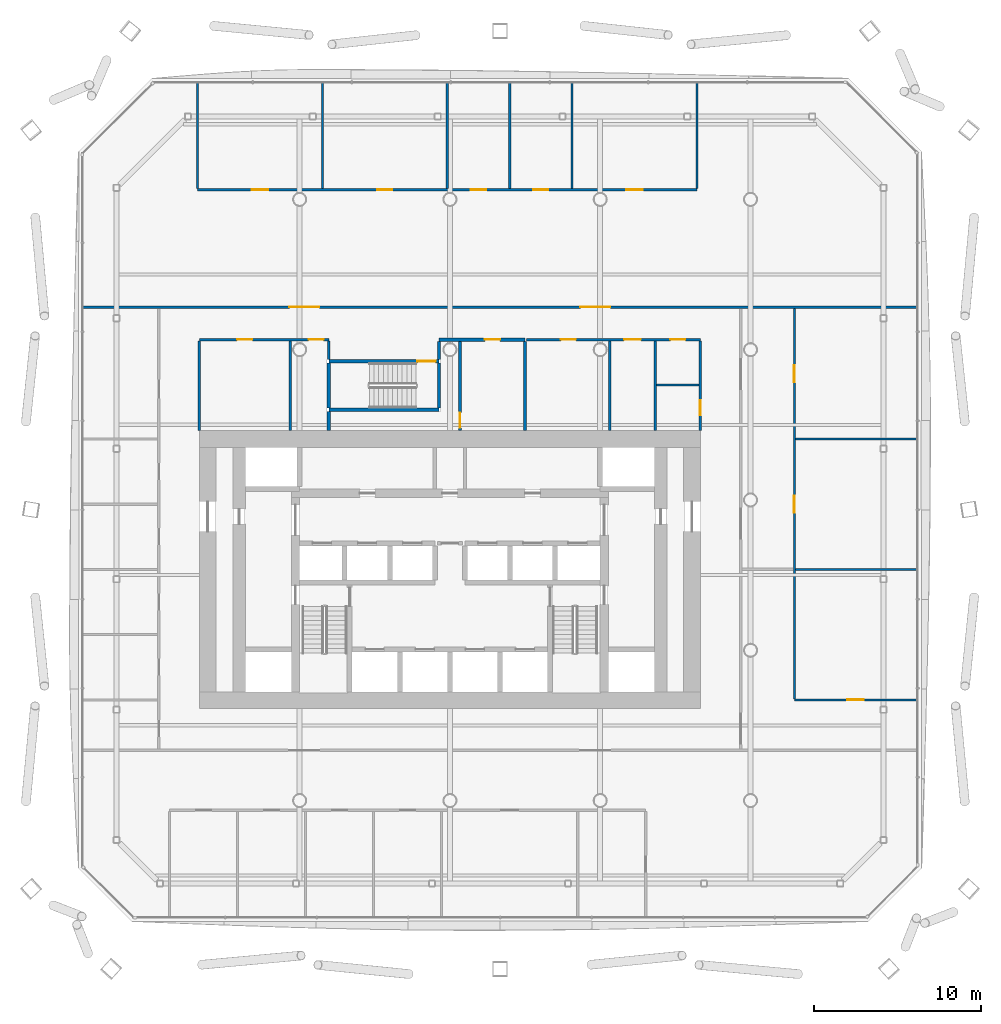
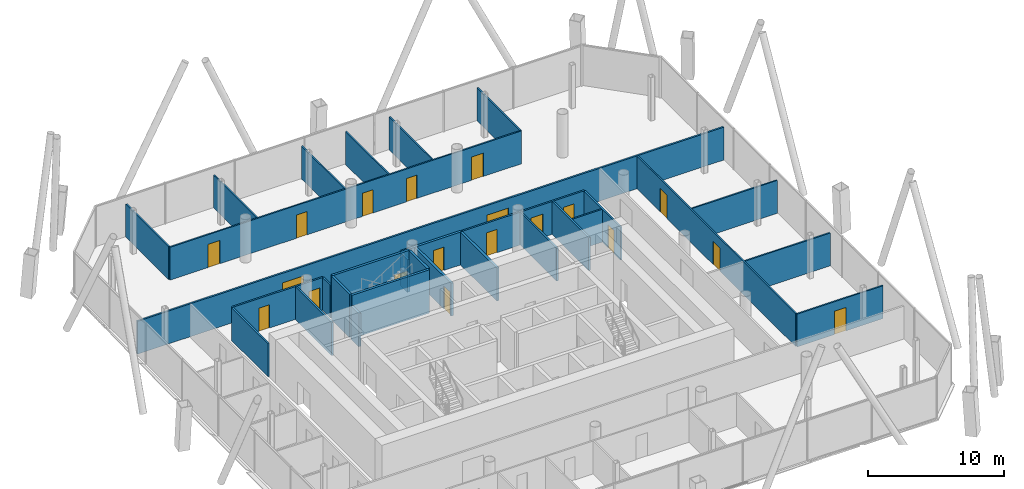
# One storey, part 16 of 22: 30 walls, 19 doors, 19 openings.
"""IFC4 building model written with IfcOpenShell, lengths in metres."""

import ifcopenshell
import ifcopenshell.guid

model = None  # the IFC model being written
_history = None  # IfcOwnerHistory: only IFC2X3 demands one
_inside = {}  # id of a spatial element -> (the spatial element, [elements in it])
_under = {}  # id of a project, library or spatial element -> (it, [spatial elements below it])
_declared = {}  # id of a project -> (the project, [libraries it declares])
_typed = {}  # id of a type object -> (the type object, [elements of that type])
_made_of = {}  # id of a material, layer set ... -> (it, [elements and type objects made of it])


def new_model(schema):
    """Start an empty IFC model of exactly this schema.

    Asked for "IFC4X3", IfcOpenShell would pick the latest addendum, in which some entities
    have other attributes; the version numbers below select the first issue.
    IFC2X3 requires an IfcOwnerHistory on every rooted entity: one is made here for all.
    """
    global model, _history
    if schema == "IFC4X3":
        model = ifcopenshell.file(schema_version=(4, 3, 0, 0))
    else:
        model = ifcopenshell.file(schema=schema)
    _inside.clear()
    _under.clear()
    _declared.clear()
    _typed.clear()
    _made_of.clear()
    _history = None
    if model.schema == "IFC2X3":
        org = make("IfcOrganization", Name="unknown")
        user = make(
            "IfcPersonAndOrganization",
            ThePerson=make("IfcPerson", FamilyName="unknown"),
            TheOrganization=org,
        )
        app = make(
            "IfcApplication",
            ApplicationDeveloper=org,
            Version="unknown",
            ApplicationFullName="unknown",
            ApplicationIdentifier="unknown",
        )
        _history = make(
            "IfcOwnerHistory",
            OwningUser=user,
            OwningApplication=app,
            ChangeAction="ADDED",
            CreationDate=0,
        )
    return model


def make(cls, **values):
    """One entity of the class cls with the attributes given. An attribute that is None is left unset."""
    return model.create_entity(
        cls, **{name: value for name, value in values.items() if value is not None}
    )


def rooted(cls, **values):
    """An entity with a GlobalId (a new one), such as an element, a storey or a relation."""
    return make(cls, GlobalId=ifcopenshell.guid.new(), OwnerHistory=_history, **values)


def si_unit(unit_type, name, prefix=None):
    """IfcSIUnit, for example si_unit("LENGTHUNIT", "METRE", prefix="MILLI")."""
    return make("IfcSIUnit", UnitType=unit_type, Prefix=prefix, Name=name)


def assignment(units):
    """IfcUnitAssignment: the units of a project."""
    return None if units is None else make("IfcUnitAssignment", Units=units)


def point(xyz):
    """IfcCartesianPoint."""
    return None if xyz is None else make("IfcCartesianPoint", Coordinates=xyz)


def direction(xyz):
    """IfcDirection."""
    return None if xyz is None else make("IfcDirection", DirectionRatios=xyz)


def frame(location, z_axis=None, x_axis=None):
    """IfcAxis2Placement3D, a coordinate frame: its origin and axes. An axis left out is left unset."""
    return make(
        "IfcAxis2Placement3D",
        Location=point(location),
        Axis=direction(z_axis),
        RefDirection=direction(x_axis),
    )


def frame_2d(location, x_axis=None):
    """IfcAxis2Placement2D, a coordinate frame in the plane: its origin and x axis."""
    return make(
        "IfcAxis2Placement2D", Location=point(location), RefDirection=direction(x_axis)
    )


def origin():
    """The frame at (0, 0, 0) with its axes left unset."""
    return frame((0.0, 0.0, 0.0))


def place(relative_to, where):
    """IfcLocalPlacement: puts the frame where relative to a parent placement (None: the world)."""
    return make(
        "IfcLocalPlacement", PlacementRelTo=relative_to, RelativePlacement=where
    )


def context(
    kind, dimensions, precision=None, world=None, true_north=None, identifier=None
):
    """IfcGeometricRepresentationContext, for example the 3D "Model" context."""
    return make(
        "IfcGeometricRepresentationContext",
        ContextIdentifier=identifier,
        ContextType=kind,
        CoordinateSpaceDimension=dimensions,
        Precision=precision,
        WorldCoordinateSystem=world,
        TrueNorth=true_north,
    )


def subcontext(parent, identifier, kind, view, scale=None):
    """IfcGeometricRepresentationSubContext, for example "Body" below "Model"."""
    return make(
        "IfcGeometricRepresentationSubContext",
        ContextIdentifier=identifier,
        ContextType=kind,
        ParentContext=parent,
        TargetScale=scale,
        TargetView=view,
    )


def project(units=None, contexts=None):
    """IfcProject with its units and contexts."""
    return rooted(
        "IfcProject",
        Name="project",
        RepresentationContexts=contexts,
        UnitsInContext=assignment(units),
    )


def spatial(cls, under=None, at=None, **own):
    """A site, building, storey or space (cls), placed at a placement, below another one or the project."""
    s = rooted(cls, ObjectPlacement=at, **own)
    if under is not None:
        _under.setdefault(under.id(), (under, []))[1].append(s)
    return s


def profile(cls, at=None, kind="AREA", **sizes):
    """A parametric profile (cls). Its sizes go by their IFC names, for example OverallWidth=200.0."""
    return make(cls, ProfileType=kind, Position=at, **sizes)


def rectangle(**sizes):
    """IfcRectangleProfileDef."""
    return profile("IfcRectangleProfileDef", **sizes)


def extrude(swept, where, along, depth):
    """IfcExtrudedAreaSolid: the profile swept, set in the frame where, extruded along a direction by depth."""
    return make(
        "IfcExtrudedAreaSolid",
        SweptArea=swept,
        Position=where,
        ExtrudedDirection=direction(along),
        Depth=depth,
    )


def shape(context_of_items, identifier, shape_type, items):
    """IfcShapeRepresentation: the items that make up one representation, for example the "Body"."""
    return make(
        "IfcShapeRepresentation",
        ContextOfItems=context_of_items,
        RepresentationIdentifier=identifier,
        RepresentationType=shape_type,
        Items=items,
    )


def material(Name=None, Category=None):
    """IfcMaterial."""
    return make("IfcMaterial", Name=Name, Category=Category)


def layer(
    of_material, thickness, ventilated=None, Name=None, Category=None, Priority=None
):
    """IfcMaterialLayer: one layer of a wall or slab, of a material (None: an air gap)."""
    return make(
        "IfcMaterialLayer",
        Material=of_material,
        LayerThickness=thickness,
        IsVentilated=ventilated,
        Name=Name,
        Category=Category,
        Priority=Priority,
    )


def layer_set(layers, Name=None):
    """IfcMaterialLayerSet."""
    return make("IfcMaterialLayerSet", MaterialLayers=layers, LayerSetName=Name)


def made_of(thing, what):
    """Note that an element or type object is made of a material, layer set ...; save() writes the relation."""
    if what is not None:
        _made_of.setdefault(what.id(), (what, []))[1].append(thing)
    return thing


def type_object(cls, material=None, **own):
    """A type object (cls), such as IfcWallType, which elements share."""
    return made_of(rooted(cls, **own), material)


def element(
    cls,
    number,
    at=None,
    inside=None,
    cuts=None,
    type_object=None,
    material=None,
    context=None,
    identifier="Body",
    shape_type=None,
    held_by="IfcProductDefinitionShape",
    body=None,
    shapes=None,
    **own,
):
    """One element of the class cls, such as IfcWall. Its Tag is "e" and its number.

    at: its placement. inside: the storey or other place that contains it. cuts: it is an
    opening in that element (IfcRelVoidsElement). A single representation is given by context,
    identifier, shape_type and body (its items); several are given by shapes. held_by: the class
    of the entity that holds the representations. save() writes the other relations.
    """
    e = rooted(cls, Tag="e%d" % number, ObjectPlacement=at, **own)
    if body is not None:
        shapes = [shape(context, identifier, shape_type, body)]
    if shapes is not None:
        e.Representation = make(held_by, Representations=shapes)
    if inside is not None:
        _inside.setdefault(inside.id(), (inside, []))[1].append(e)
    if cuts is not None:
        rooted(
            "IfcRelVoidsElement", RelatingBuildingElement=cuts, RelatedOpeningElement=e
        )
    if type_object is not None:
        _typed.setdefault(type_object.id(), (type_object, []))[1].append(e)
    return made_of(e, material)


def fill(opening, filler):
    """IfcRelFillsElement: the door or window that sits in an opening."""
    return rooted(
        "IfcRelFillsElement",
        RelatingOpeningElement=opening,
        RelatedBuildingElement=filler,
    )


def aggregate(whole, parts):
    """IfcRelAggregates: a whole, such as a stair, and the parts it consists of."""
    return rooted("IfcRelAggregates", RelatingObject=whole, RelatedObjects=parts)


def save(model, path):
    """Write the relations noted so far, then the file.

    IfcRelAggregates (storeys below a building ...), IfcRelContainedInSpatialStructure (elements
    in a storey), IfcRelDefinesByType, IfcRelAssociatesMaterial and IfcRelDeclares: one each for
    every whole, place, type object, material and project.
    """
    for whole, parts in _under.values():
        aggregate(whole, parts)
    for where, things in _inside.values():
        rooted(
            "IfcRelContainedInSpatialStructure",
            RelatedElements=things,
            RelatingStructure=where,
        )
    for kind, things in _typed.values():
        rooted("IfcRelDefinesByType", RelatedObjects=things, RelatingType=kind)
    for what, things in _made_of.values():
        rooted("IfcRelAssociatesMaterial", RelatedObjects=things, RelatingMaterial=what)
    for by, libraries in _declared.values():
        rooted("IfcRelDeclares", RelatingContext=by, RelatedDefinitions=libraries)
    model.write(path)


model = new_model("IFC4")

# Units and contexts
model_context = context("Model", 3, precision=1e-05, world=origin(), true_north=direction((0.0, 1.0)))
body_context = subcontext(model_context, "Body", "Model", "MODEL_VIEW")
ifc_project = project(units=[si_unit("LENGTHUNIT", "METRE"), si_unit("AREAUNIT", "SQUARE_METRE"), si_unit("VOLUMEUNIT", "CUBIC_METRE"), si_unit("PLANEANGLEUNIT", "RADIAN"), si_unit("MASSUNIT", "GRAM", prefix="KILO")], contexts=[model_context])

# Site, building, storey
site_placement = place(None, origin())
site = spatial("IfcSite", under=ifc_project, at=site_placement, CompositionType="ELEMENT")
building_placement = place(site_placement, origin())
building = spatial("IfcBuilding", under=site, at=building_placement, Name="Tskaro Facet Tower", CompositionType="ELEMENT")
storey_placement = place(building_placement, frame((0.0, 0.0, 73.800048828125)))
storey = spatial("IfcBuildingStorey", under=building, at=storey_placement, Name="L17", CompositionType="ELEMENT", Elevation=73.800048828125)

# Wall, opening, door
ifc_material_1 = material(Name="Gypsum board on steel studs", Category="steel")
ifc_layer_1 = layer(ifc_material_1, 0.125, Name="Gypsum board on steel studs")
ifc_layer_set_1 = layer_set([ifc_layer_1], Name="Gypsum board on steel studs")
wall_type_1 = type_object("IfcWallType", Name="PART", PredefinedType="PARTITIONING", material=ifc_layer_set_1)
wall_1_placement = place(storey_placement, frame((20.625, -11.972900390625, 0.0), z_axis=(0.0, 0.0, 1.0), x_axis=(1.0, 0.0, 0.0)))
wall_1 = element("IfcWall", 1, at=wall_1_placement, inside=storey, type_object=wall_type_1, Name="Partition W004", PredefinedType="PARTITIONING", context=body_context, shape_type="SweptSolid", body=[
    extrude(rectangle(XDim=7.3359375, YDim=0.125, at=frame_2d((3.66796875, 0.0))), origin(), (0.0, 0.0, 1.0), 2.9599609375),
])
opening_1_placement = place(wall_1_placement, frame((3.16796875, 0.0, 0.0)))
opening_1 = element("IfcOpeningElement", 2, at=opening_1_placement, cuts=wall_1, Name="Opening T5-D11", PredefinedType="OPENING", context=body_context, shape_type="SweptSolid", body=[
    extrude(rectangle(XDim=1.0, YDim=2.10009765625, at=frame_2d((0.5, 1.050048828125))), frame((0.0, 0.072509765625, 0.0), z_axis=(0.0, -1.0, 0.0), x_axis=(1.0, 0.0, 0.0)), (0.0, 0.0, 1.0), 0.14501953125),
])
ifc_material_2 = material(Name="Timber", Category="wood")
door_type_1 = type_object("IfcDoorType", Name="D-ROOM-WIDE", OperationType="NOTDEFINED", PredefinedType="DOOR", material=ifc_material_2)
door_1_placement = place(opening_1_placement, origin())
door_1 = element("IfcDoor", 3, at=door_1_placement, inside=storey, type_object=door_type_1, Name="Door T5-D11", OperationType="SINGLE_SWING_LEFT", OverallHeight=2.10009765625, OverallWidth=1.0, PredefinedType="DOOR", context=body_context, shape_type="SweptSolid", body=[
    extrude(rectangle(XDim=1.0, YDim=2.10009765625, at=frame_2d((0.5, 1.050048828125))), frame((0.0, 0.02490234375, 0.0), z_axis=(0.0, -1.0, 0.0), x_axis=(1.0, 0.0, 0.0)), (0.0, 0.0, 1.0), 0.050048828125),
])
fill(opening_1, door_1)

# Walls
for number, where, z_axis, x_axis, name in (
    (4, (20.6875, -4.162109375, 0.0), (0.0, 0.0, 1.0), (1.0, 0.0, 0.0), "Partition W013"),
    (5, (20.6875, 3.64794921875, 0.0), (0.0, 0.0, 1.0), (1.0, 0.0, 0.0), "Partition W021"),
):
    element("IfcWall", number, at=place(storey_placement, frame(where, z_axis=z_axis, x_axis=x_axis)), inside=storey, type_object=wall_type_1, Name=name, PredefinedType="PARTITIONING", context=body_context, shape_type="SweptSolid", body=[
        extrude(rectangle(XDim=7.2734375, YDim=0.125, at=frame_2d((3.63671875, 0.0))), origin(), (0.0, 0.0, 1.0), 2.9599609375),
    ])
wall_2_placement = place(storey_placement, frame((12.375, 6.8779296875, 0.0), z_axis=(0.0, 0.0, 1.0), x_axis=(1.0, 0.0, 0.0)))
element("IfcWall", 6, at=wall_2_placement, inside=storey, type_object=wall_type_1, Name="Partition W023", PredefinedType="PARTITIONING", context=body_context, shape_type="SweptSolid", body=[
    extrude(rectangle(XDim=2.550048828125, YDim=0.125, at=frame_2d((1.27490234375, 0.0))), origin(), (0.0, 0.0, 1.0), 2.9599609375),
])

# Wall, openings, doors
wall_3_placement = place(storey_placement, frame((-15.110107421875, 18.580078125, 0.0), z_axis=(0.0, 0.0, 1.0), x_axis=(1.0, 0.0, 0.0)))
wall_3 = element("IfcWall", 7, at=wall_3_placement, inside=storey, type_object=wall_type_1, Name="Partition W029", PredefinedType="PARTITIONING", context=body_context, shape_type="SweptSolid", body=[
    extrude(rectangle(XDim=29.904052734375, YDim=0.125, at=frame_2d((14.9521484375, 0.0))), origin(), (0.0, 0.0, 1.0), 2.9599609375),
])
opening_2_placement = place(wall_3_placement, frame((25.666015625, 0.0, 0.0)))
opening_2 = element("IfcOpeningElement", 8, at=opening_2_placement, cuts=wall_3, Name="Opening T5-D48", PredefinedType="OPENING", context=body_context, shape_type="SweptSolid", body=[
    extrude(rectangle(XDim=1.0, YDim=2.10009765625, at=frame_2d((0.5, 1.050048828125))), frame((0.0, 0.072509765625, 0.0), z_axis=(0.0, -1.0, 0.0), x_axis=(1.0, 0.0, 0.0)), (0.0, 0.0, 1.0), 0.14501953125),
])
opening_3_placement = place(wall_3_placement, frame((3.238037109375, 0.0, 0.0)))
opening_3 = element("IfcOpeningElement", 9, at=opening_3_placement, cuts=wall_3, Name="Opening T5-D44", PredefinedType="OPENING", context=body_context, shape_type="SweptSolid", body=[
    extrude(rectangle(XDim=1.0, YDim=2.10009765625, at=frame_2d((0.5, 1.050048828125))), frame((0.0, 0.072509765625, 0.0), z_axis=(0.0, -1.0, 0.0), x_axis=(1.0, 0.0, 0.0)), (0.0, 0.0, 1.0), 0.14501953125),
])
opening_4_placement = place(wall_3_placement, frame((10.763916015625, 0.0, 0.0)))
opening_4 = element("IfcOpeningElement", 10, at=opening_4_placement, cuts=wall_3, Name="Opening T5-D45", PredefinedType="OPENING", context=body_context, shape_type="SweptSolid", body=[
    extrude(rectangle(XDim=0.89990234375, YDim=2.10009765625, at=frame_2d((0.449951171875, 1.050048828125))), frame((0.0, 0.072509765625, 0.0), z_axis=(0.0, -1.0, 0.0), x_axis=(1.0, 0.0, 0.0)), (0.0, 0.0, 1.0), 0.14501953125),
])
opening_5_placement = place(wall_3_placement, frame((16.37109375, 0.0, 0.0)))
opening_5 = element("IfcOpeningElement", 11, at=opening_5_placement, cuts=wall_3, Name="Opening T5-D46", PredefinedType="OPENING", context=body_context, shape_type="SweptSolid", body=[
    extrude(rectangle(XDim=0.89990234375, YDim=2.10009765625, at=frame_2d((0.449951171875, 1.050048828125))), frame((0.0, 0.072509765625, 0.0), z_axis=(0.0, -1.0, 0.0), x_axis=(1.0, 0.0, 0.0)), (0.0, 0.0, 1.0), 0.14501953125),
])
opening_6_placement = place(wall_3_placement, frame((20.10888671875, 0.0, 0.0)))
opening_6 = element("IfcOpeningElement", 12, at=opening_6_placement, cuts=wall_3, Name="Opening T5-D47", PredefinedType="OPENING", context=body_context, shape_type="SweptSolid", body=[
    extrude(rectangle(XDim=0.89990234375, YDim=2.10009765625, at=frame_2d((0.449951171875, 1.050048828125))), frame((0.0, 0.072509765625, 0.0), z_axis=(0.0, -1.0, 0.0), x_axis=(1.0, 0.0, 0.0)), (0.0, 0.0, 1.0), 0.14501953125),
])
door_type_2 = type_object("IfcDoorType", Name="D-ROOM", OperationType="NOTDEFINED", PredefinedType="DOOR", material=ifc_material_2)
door_2_placement = place(opening_4_placement, origin())
door_2 = element("IfcDoor", 13, at=door_2_placement, inside=storey, type_object=door_type_2, Name="Door T5-D45", OperationType="SINGLE_SWING_LEFT", OverallHeight=2.10009765625, OverallWidth=0.89990234375, PredefinedType="DOOR", context=body_context, shape_type="SweptSolid", body=[
    extrude(rectangle(XDim=0.89990234375, YDim=2.10009765625, at=frame_2d((0.449951171875, 1.050048828125))), frame((0.0, 0.02490234375, 0.0), z_axis=(0.0, -1.0, 0.0), x_axis=(1.0, 0.0, 0.0)), (0.0, 0.0, 1.0), 0.050048828125),
])
fill(opening_4, door_2)
door_3_placement = place(opening_5_placement, origin())
door_3 = element("IfcDoor", 14, at=door_3_placement, inside=storey, type_object=door_type_2, Name="Door T5-D46", OperationType="SINGLE_SWING_LEFT", OverallHeight=2.10009765625, OverallWidth=0.89990234375, PredefinedType="DOOR", context=body_context, shape_type="SweptSolid", body=[
    extrude(rectangle(XDim=0.89990234375, YDim=2.10009765625, at=frame_2d((0.449951171875, 1.050048828125))), frame((0.0, 0.02490234375, 0.0), z_axis=(0.0, -1.0, 0.0), x_axis=(1.0, 0.0, 0.0)), (0.0, 0.0, 1.0), 0.050048828125),
])
fill(opening_5, door_3)
door_4_placement = place(opening_6_placement, origin())
door_4 = element("IfcDoor", 15, at=door_4_placement, inside=storey, type_object=door_type_2, Name="Door T5-D47", OperationType="SINGLE_SWING_LEFT", OverallHeight=2.10009765625, OverallWidth=0.89990234375, PredefinedType="DOOR", context=body_context, shape_type="SweptSolid", body=[
    extrude(rectangle(XDim=0.89990234375, YDim=2.10009765625, at=frame_2d((0.449951171875, 1.050048828125))), frame((0.0, 0.02490234375, 0.0), z_axis=(0.0, -1.0, 0.0), x_axis=(1.0, 0.0, 0.0)), (0.0, 0.0, 1.0), 0.050048828125),
])
fill(opening_6, door_4)
door_5_placement = place(opening_2_placement, origin())
door_5 = element("IfcDoor", 16, at=door_5_placement, inside=storey, type_object=door_type_1, Name="Door T5-D48", OperationType="SINGLE_SWING_LEFT", OverallHeight=2.10009765625, OverallWidth=1.0, PredefinedType="DOOR", context=body_context, shape_type="SweptSolid", body=[
    extrude(rectangle(XDim=1.0, YDim=2.10009765625, at=frame_2d((0.5, 1.050048828125))), frame((0.0, 0.02490234375, 0.0), z_axis=(0.0, -1.0, 0.0), x_axis=(1.0, 0.0, 0.0)), (0.0, 0.0, 1.0), 0.050048828125),
])
fill(opening_2, door_5)
door_6_placement = place(opening_3_placement, origin())
door_6 = element("IfcDoor", 17, at=door_6_placement, inside=storey, type_object=door_type_1, Name="Door T5-D44", OperationType="SINGLE_SWING_LEFT", OverallHeight=2.10009765625, OverallWidth=1.0, PredefinedType="DOOR", context=body_context, shape_type="SweptSolid", body=[
    extrude(rectangle(XDim=1.0, YDim=2.10009765625, at=frame_2d((0.5, 1.050048828125))), frame((0.0, 0.02490234375, 0.0), z_axis=(0.0, -1.0, 0.0), x_axis=(1.0, 0.0, 0.0)), (0.0, 0.0, 1.0), 0.050048828125),
])
fill(opening_3, door_6)

# Walls
for number, where, z_axis, x_axis, name in (
    (18, (-15.110107421875, 18.642578125, 0.0), (0.0, 0.0, 1.0), (0.0, 1.0, 0.0), "Partition W032"),
    (19, (-7.634033203125, 18.642578125, 0.0), (0.0, 0.0, 1.0), (0.0, 1.0, 0.0), "Partition W038"),
    (20, (-0.157958984375, 18.642578125, 0.0), (0.0, 0.0, 1.0), (0.0, 1.0, 0.0), "Partition W052"),
    (21, (3.580078125, 18.642578125, 0.0), (0.0, 0.0, 1.0), (0.0, 1.0, 0.0), "Partition W058"),
    (22, (7.318115234375, 18.642578125, 0.0), (0.0, 0.0, 1.0), (0.0, 1.0, 0.0), "Partition W063"),
    (23, (14.7939453125, 18.642578125, 0.0), (0.0, 0.0, 1.0), (0.0, 1.0, 0.0), "Partition W069"),
):
    element("IfcWall", number, at=place(storey_placement, frame(where, z_axis=z_axis, x_axis=x_axis)), inside=storey, type_object=wall_type_1, Name=name, PredefinedType="PARTITIONING", context=body_context, shape_type="SweptSolid", body=[
        extrude(rectangle(XDim=6.318359375, YDim=0.125, at=frame_2d((3.1591796875, 0.0))), origin(), (0.0, 0.0, 1.0), 2.9599609375),
    ])

# Wall, openings, doors
wall_4_placement = place(storey_placement, frame((20.625, 11.47998046875, 0.0), z_axis=(0.0, 0.0, 1.0), x_axis=(0.0, -1.0, 0.0)))
wall_4 = element("IfcWall", 24, at=wall_4_placement, inside=storey, type_object=wall_type_1, Name="Partition W072", PredefinedType="PARTITIONING", context=body_context, shape_type="SweptSolid", body=[
    extrude(rectangle(XDim=23.390380859375, YDim=0.125, at=frame_2d((11.6953125, 0.0))), origin(), (0.0, 0.0, 1.0), 2.9599609375),
])
opening_7_placement = place(wall_4_placement, frame((11.237060546875, 0.0, 0.0)))
opening_7 = element("IfcOpeningElement", 25, at=opening_7_placement, cuts=wall_4, Name="Opening T5-D24", PredefinedType="OPENING", context=body_context, shape_type="SweptSolid", body=[
    extrude(rectangle(XDim=1.0, YDim=2.10009765625, at=frame_2d((0.5, 1.050048828125))), frame((0.0, 0.072509765625, 0.0), z_axis=(0.0, -1.0, 0.0), x_axis=(1.0, 0.0, 0.0)), (0.0, 0.0, 1.0), 0.14501953125),
])
opening_8_placement = place(wall_4_placement, frame((3.416015625, 0.0, 0.0)))
opening_8 = element("IfcOpeningElement", 26, at=opening_8_placement, cuts=wall_4, Name="Opening T5-D35", PredefinedType="OPENING", context=body_context, shape_type="SweptSolid", body=[
    extrude(rectangle(XDim=1.0, YDim=2.10009765625, at=frame_2d((0.5, 1.050048828125))), frame((0.0, 0.072509765625, 0.0), z_axis=(0.0, -1.0, 0.0), x_axis=(1.0, 0.0, 0.0)), (0.0, 0.0, 1.0), 0.14501953125),
])
door_7_placement = place(opening_7_placement, origin())
door_7 = element("IfcDoor", 27, at=door_7_placement, inside=storey, type_object=door_type_1, Name="Door T5-D24", OperationType="SINGLE_SWING_RIGHT", OverallHeight=2.10009765625, OverallWidth=1.0, PredefinedType="DOOR", context=body_context, shape_type="SweptSolid", body=[
    extrude(rectangle(XDim=1.0, YDim=2.10009765625, at=frame_2d((0.5, 1.050048828125))), frame((0.0, 0.02490234375, 0.0), z_axis=(0.0, -1.0, 0.0), x_axis=(1.0, 0.0, 0.0)), (0.0, 0.0, 1.0), 0.050048828125),
])
fill(opening_7, door_7)
door_8_placement = place(opening_8_placement, origin())
door_8 = element("IfcDoor", 28, at=door_8_placement, inside=storey, type_object=door_type_1, Name="Door T5-D35", OperationType="SINGLE_SWING_RIGHT", OverallHeight=2.10009765625, OverallWidth=1.0, PredefinedType="DOOR", context=body_context, shape_type="SweptSolid", body=[
    extrude(rectangle(XDim=1.0, YDim=2.10009765625, at=frame_2d((0.5, 1.050048828125))), frame((0.0, 0.02490234375, 0.0), z_axis=(0.0, -1.0, 0.0), x_axis=(1.0, 0.0, 0.0)), (0.0, 0.0, 1.0), 0.050048828125),
])
fill(opening_8, door_8)

ifc_layer_2 = layer(ifc_material_1, 0.14990234375, Name="Gypsum board on steel studs")
ifc_layer_set_2 = layer_set([ifc_layer_2], Name="Gypsum board on steel studs")
wall_type_2 = type_object("IfcWallType", Name="PART-CORR", PredefinedType="PARTITIONING", material=ifc_layer_set_2)
wall_5_placement = place(storey_placement, frame((-7.25, 9.60498046875, 0.0), z_axis=(0.0, 0.0, 1.0), x_axis=(-1.0, 0.0, 0.0)))
wall_5 = element("IfcWall", 29, at=wall_5_placement, inside=storey, type_object=wall_type_2, Name="Corridor wall W025", PredefinedType="PARTITIONING", context=body_context, shape_type="SweptSolid", body=[
    extrude(rectangle(XDim=7.75, YDim=0.14990234375, at=frame_2d((3.875, 0.0))), origin(), (0.0, 0.0, 1.0), 2.9599609375),
])
opening_9_placement = place(wall_5_placement, frame((0.3125, 0.0, 0.0)))
opening_9 = element("IfcOpeningElement", 30, at=opening_9_placement, cuts=wall_5, Name="Opening T5-D37", PredefinedType="OPENING", context=body_context, shape_type="SweptSolid", body=[
    extrude(rectangle(XDim=0.89990234375, YDim=2.10009765625, at=frame_2d((0.449951171875, 1.050048828125))), frame((0.0, 0.0849609375, 0.0), z_axis=(0.0, -1.0, 0.0), x_axis=(1.0, 0.0, 0.0)), (0.0, 0.0, 1.0), 0.169921875),
])
opening_10_placement = place(wall_5_placement, frame((4.58740234375, 0.0, 0.0)))
opening_10 = element("IfcOpeningElement", 31, at=opening_10_placement, cuts=wall_5, Name="Opening T5-D36", PredefinedType="OPENING", context=body_context, shape_type="SweptSolid", body=[
    extrude(rectangle(XDim=0.89990234375, YDim=2.10009765625, at=frame_2d((0.449951171875, 1.050048828125))), frame((0.0, 0.0849609375, 0.0), z_axis=(0.0, -1.0, 0.0), x_axis=(1.0, 0.0, 0.0)), (0.0, 0.0, 1.0), 0.169921875),
])
ifc_material_3 = material(Name="Steel", Category="steel")
door_type_3 = type_object("IfcDoorType", Name="D-RISER", OperationType="NOTDEFINED", PredefinedType="DOOR", material=ifc_material_3)
door_9_placement = place(opening_9_placement, origin())
door_9 = element("IfcDoor", 32, at=door_9_placement, inside=storey, type_object=door_type_3, Name="Door T5-D37", OperationType="SINGLE_SWING_RIGHT", OverallHeight=2.10009765625, OverallWidth=0.89990234375, PredefinedType="DOOR", context=body_context, shape_type="SweptSolid", body=[
    extrude(rectangle(XDim=0.89990234375, YDim=2.10009765625, at=frame_2d((0.449951171875, 1.050048828125))), frame((0.0, 0.02490234375, 0.0), z_axis=(0.0, -1.0, 0.0), x_axis=(1.0, 0.0, 0.0)), (0.0, 0.0, 1.0), 0.050048828125),
])
fill(opening_9, door_9)
door_10_placement = place(opening_10_placement, origin())
door_10 = element("IfcDoor", 33, at=door_10_placement, inside=storey, type_object=door_type_2, Name="Door T5-D36", OperationType="SINGLE_SWING_RIGHT", OverallHeight=2.10009765625, OverallWidth=0.89990234375, PredefinedType="DOOR", context=body_context, shape_type="SweptSolid", body=[
    extrude(rectangle(XDim=0.89990234375, YDim=2.10009765625, at=frame_2d((0.449951171875, 1.050048828125))), frame((0.0, 0.02490234375, 0.0), z_axis=(0.0, -1.0, 0.0), x_axis=(1.0, 0.0, 0.0)), (0.0, 0.0, 1.0), 0.050048828125),
])
fill(opening_10, door_10)

wall_6_placement = place(storey_placement, frame((15.0, 9.60498046875, 0.0), z_axis=(0.0, 0.0, 1.0), x_axis=(-1.0, 0.0, 0.0)))
wall_6 = element("IfcWall", 34, at=wall_6_placement, inside=storey, type_object=wall_type_2, Name="Corridor wall W027", PredefinedType="PARTITIONING", context=body_context, shape_type="SweptSolid", body=[
    extrude(rectangle(XDim=10.39990234375, YDim=0.14990234375, at=frame_2d((5.199951171875, 0.0))), origin(), (0.0, 0.0, 1.0), 2.9599609375),
])
opening_11_placement = place(wall_6_placement, frame((0.89990234375, 0.0, 0.0)))
opening_11 = element("IfcOpeningElement", 35, at=opening_11_placement, cuts=wall_6, Name="Opening T5-D41", PredefinedType="OPENING", context=body_context, shape_type="SweptSolid", body=[
    extrude(rectangle(XDim=0.89990234375, YDim=2.10009765625, at=frame_2d((0.449951171875, 1.050048828125))), frame((0.0, 0.0849609375, 0.0), z_axis=(0.0, -1.0, 0.0), x_axis=(1.0, 0.0, 0.0)), (0.0, 0.0, 1.0), 0.169921875),
])
opening_12_placement = place(wall_6_placement, frame((7.46240234375, 0.0, 0.0)))
opening_12 = element("IfcOpeningElement", 36, at=opening_12_placement, cuts=wall_6, Name="Opening T5-D39", PredefinedType="OPENING", context=body_context, shape_type="SweptSolid", body=[
    extrude(rectangle(XDim=0.89990234375, YDim=2.10009765625, at=frame_2d((0.449951171875, 1.050048828125))), frame((0.0, 0.0849609375, 0.0), z_axis=(0.0, -1.0, 0.0), x_axis=(1.0, 0.0, 0.0)), (0.0, 0.0, 1.0), 0.169921875),
])
opening_13_placement = place(wall_6_placement, frame((3.5625, 0.0, 0.0)))
opening_13 = element("IfcOpeningElement", 37, at=opening_13_placement, cuts=wall_6, Name="Opening T5-D40", PredefinedType="OPENING", context=body_context, shape_type="SweptSolid", body=[
    extrude(rectangle(XDim=1.0, YDim=2.10009765625, at=frame_2d((0.5, 1.050048828125))), frame((0.0, 0.0849609375, 0.0), z_axis=(0.0, -1.0, 0.0), x_axis=(1.0, 0.0, 0.0)), (0.0, 0.0, 1.0), 0.169921875),
])
door_11_placement = place(opening_11_placement, origin())
door_11 = element("IfcDoor", 38, at=door_11_placement, inside=storey, type_object=door_type_2, Name="Door T5-D41", OperationType="SINGLE_SWING_RIGHT", OverallHeight=2.10009765625, OverallWidth=0.89990234375, PredefinedType="DOOR", context=body_context, shape_type="SweptSolid", body=[
    extrude(rectangle(XDim=0.89990234375, YDim=2.10009765625, at=frame_2d((0.449951171875, 1.050048828125))), frame((0.0, 0.02490234375, 0.0), z_axis=(0.0, -1.0, 0.0), x_axis=(1.0, 0.0, 0.0)), (0.0, 0.0, 1.0), 0.050048828125),
])
fill(opening_11, door_11)
door_12_placement = place(opening_12_placement, origin())
door_12 = element("IfcDoor", 39, at=door_12_placement, inside=storey, type_object=door_type_2, Name="Door T5-D39", OperationType="SINGLE_SWING_RIGHT", OverallHeight=2.10009765625, OverallWidth=0.89990234375, PredefinedType="DOOR", context=body_context, shape_type="SweptSolid", body=[
    extrude(rectangle(XDim=0.89990234375, YDim=2.10009765625, at=frame_2d((0.449951171875, 1.050048828125))), frame((0.0, 0.02490234375, 0.0), z_axis=(0.0, -1.0, 0.0), x_axis=(1.0, 0.0, 0.0)), (0.0, 0.0, 1.0), 0.050048828125),
])
fill(opening_12, door_12)
door_13_placement = place(opening_13_placement, origin())
door_13 = element("IfcDoor", 40, at=door_13_placement, inside=storey, type_object=door_type_1, Name="Door T5-D40", OperationType="SINGLE_SWING_RIGHT", OverallHeight=2.10009765625, OverallWidth=1.0, PredefinedType="DOOR", context=body_context, shape_type="SweptSolid", body=[
    extrude(rectangle(XDim=1.0, YDim=2.10009765625, at=frame_2d((0.5, 1.050048828125))), frame((0.0, 0.02490234375, 0.0), z_axis=(0.0, -1.0, 0.0), x_axis=(1.0, 0.0, 0.0)), (0.0, 0.0, 1.0), 0.050048828125),
])
fill(opening_13, door_13)

wall_7_placement = place(storey_placement, frame((27.9609375, 11.554931640625, 0.0), z_axis=(0.0, 0.0, 1.0), x_axis=(-1.0, 0.0, 0.0)))
wall_7 = element("IfcWall", 41, at=wall_7_placement, inside=storey, type_object=wall_type_2, Name="Corridor wall W028", PredefinedType="PARTITIONING", context=body_context, shape_type="SweptSolid", body=[
    extrude(rectangle(XDim=49.921875, YDim=0.14990234375, at=frame_2d((24.9609375, 0.0))), origin(), (0.0, 0.0, 1.0), 2.9599609375),
])
opening_14_placement = place(wall_7_placement, frame((35.77392578125, 0.0, 0.0)))
opening_14 = element("IfcOpeningElement", 42, at=opening_14_placement, cuts=wall_7, Name="Opening T5-D42", PredefinedType="OPENING", context=body_context, shape_type="SweptSolid", body=[
    extrude(rectangle(XDim=1.800048828125, YDim=2.10009765625, at=frame_2d((0.89990234375, 1.050048828125))), frame((0.0, 0.0849609375, 0.0), z_axis=(0.0, -1.0, 0.0), x_axis=(1.0, 0.0, 0.0)), (0.0, 0.0, 1.0), 0.169921875),
])
opening_15_placement = place(wall_7_placement, frame((18.347900390625, 0.0, 0.0)))
opening_15 = element("IfcOpeningElement", 43, at=opening_15_placement, cuts=wall_7, Name="Opening T5-D43", PredefinedType="OPENING", context=body_context, shape_type="SweptSolid", body=[
    extrude(rectangle(XDim=1.800048828125, YDim=2.10009765625, at=frame_2d((0.89990234375, 1.050048828125))), frame((0.0, 0.0849609375, 0.0), z_axis=(0.0, -1.0, 0.0), x_axis=(1.0, 0.0, 0.0)), (0.0, 0.0, 1.0), 0.169921875),
])
ifc_material_4 = material(Name="Glass", Category="glass")
door_type_4 = type_object("IfcDoorType", Name="D-ENTRY-PAIR", OperationType="NOTDEFINED", PredefinedType="DOOR", material=ifc_material_4)
door_14_placement = place(opening_14_placement, origin())
door_14 = element("IfcDoor", 44, at=door_14_placement, inside=storey, type_object=door_type_4, Name="Door T5-D42", OperationType="DOUBLE_DOOR_SINGLE_SWING", OverallHeight=2.10009765625, OverallWidth=1.800048828125, PredefinedType="DOOR", context=body_context, shape_type="SweptSolid", body=[
    extrude(rectangle(XDim=1.800048828125, YDim=2.10009765625, at=frame_2d((0.89990234375, 1.050048828125))), frame((0.0, 0.02490234375, 0.0), z_axis=(0.0, -1.0, 0.0), x_axis=(1.0, 0.0, 0.0)), (0.0, 0.0, 1.0), 0.050048828125),
])
fill(opening_14, door_14)
door_15_placement = place(opening_15_placement, origin())
door_15 = element("IfcDoor", 45, at=door_15_placement, inside=storey, type_object=door_type_4, Name="Door T5-D43", OperationType="DOUBLE_DOOR_SINGLE_SWING", OverallHeight=2.10009765625, OverallWidth=1.800048828125, PredefinedType="DOOR", context=body_context, shape_type="SweptSolid", body=[
    extrude(rectangle(XDim=1.800048828125, YDim=2.10009765625, at=frame_2d((0.89990234375, 1.050048828125))), frame((0.0, 0.02490234375, 0.0), z_axis=(0.0, -1.0, 0.0), x_axis=(1.0, 0.0, 0.0)), (0.0, 0.0, 1.0), 0.050048828125),
])
fill(opening_15, door_15)

# Walls
for number, where, z_axis, x_axis, name in (
    (46, (-15.0, 4.14990234375, 0.0), (0.0, 0.0, 1.0), (0.0, 1.0, 0.0), "Corridor wall W033"),
    (47, (-9.574951171875, 4.14990234375, 0.0), (0.0, 0.0, 1.0), (0.0, 1.0, 0.0), "Corridor wall W035"),
):
    element("IfcWall", number, at=place(storey_placement, frame(where, z_axis=z_axis, x_axis=x_axis)), inside=storey, type_object=wall_type_2, Name=name, PredefinedType="PARTITIONING", context=body_context, shape_type="SweptSolid", body=[
        extrude(rectangle(XDim=5.380126953125, YDim=0.14990234375, at=frame_2d((2.68994140625, 0.0))), origin(), (0.0, 0.0, 1.0), 2.9599609375),
    ])
wall_8_placement = place(storey_placement, frame((-7.25, 8.39990234375, 0.0), z_axis=(0.0, 0.0, 1.0), x_axis=(0.0, 1.0, 0.0)))
element("IfcWall", 48, at=wall_8_placement, inside=storey, type_object=wall_type_2, Name="Corridor wall W041", PredefinedType="PARTITIONING", context=body_context, shape_type="SweptSolid", body=[
    extrude(rectangle(XDim=1.130126953125, YDim=0.14990234375, at=frame_2d((0.56494140625, 0.0))), origin(), (0.0, 0.0, 1.0), 2.9599609375),
])
for number, where, z_axis, x_axis, name in (
    (49, (9.574951171875, 4.14990234375, 0.0), (0.0, 0.0, 1.0), (0.0, 1.0, 0.0), "Corridor wall W066"),
    (50, (12.300048828125, 4.14990234375, 0.0), (0.0, 0.0, 1.0), (0.0, 1.0, 0.0), "Corridor wall W068"),
):
    element("IfcWall", number, at=place(storey_placement, frame(where, z_axis=z_axis, x_axis=x_axis)), inside=storey, type_object=wall_type_2, Name=name, PredefinedType="PARTITIONING", context=body_context, shape_type="SweptSolid", body=[
        extrude(rectangle(XDim=5.380126953125, YDim=0.14990234375, at=frame_2d((2.68994140625, 0.0))), origin(), (0.0, 0.0, 1.0), 2.9599609375),
    ])

# Wall, opening, door
wall_9_placement = place(storey_placement, frame((15.0, 4.14990234375, 0.0), z_axis=(0.0, 0.0, 1.0), x_axis=(0.0, 1.0, 0.0)))
wall_9 = element("IfcWall", 51, at=wall_9_placement, inside=storey, type_object=wall_type_2, Name="Corridor wall W070", PredefinedType="PARTITIONING", context=body_context, shape_type="SweptSolid", body=[
    extrude(rectangle(XDim=5.380126953125, YDim=0.14990234375, at=frame_2d((2.68994140625, 0.0))), origin(), (0.0, 0.0, 1.0), 2.9599609375),
])
opening_16_placement = place(wall_9_placement, frame((0.9140625, 0.0, 0.0)))
opening_16 = element("IfcOpeningElement", 52, at=opening_16_placement, cuts=wall_9, Name="Opening T5-D32", PredefinedType="OPENING", context=body_context, shape_type="SweptSolid", body=[
    extrude(rectangle(XDim=0.89990234375, YDim=2.10009765625, at=frame_2d((0.449951171875, 1.050048828125))), frame((0.0, 0.0849609375, 0.0), z_axis=(0.0, -1.0, 0.0), x_axis=(1.0, 0.0, 0.0)), (0.0, 0.0, 1.0), 0.169921875),
])
door_16_placement = place(opening_16_placement, origin())
door_16 = element("IfcDoor", 53, at=door_16_placement, inside=storey, type_object=door_type_2, Name="Door T5-D32", OperationType="SINGLE_SWING_LEFT", OverallHeight=2.10009765625, OverallWidth=0.89990234375, PredefinedType="DOOR", context=body_context, shape_type="SweptSolid", body=[
    extrude(rectangle(XDim=0.89990234375, YDim=2.10009765625, at=frame_2d((0.449951171875, 1.050048828125))), frame((0.0, 0.02490234375, 0.0), z_axis=(0.0, -1.0, 0.0), x_axis=(1.0, 0.0, 0.0)), (0.0, 0.0, 1.0), 0.050048828125),
])
fill(opening_16, door_16)

# Wall
ifc_material_5 = material(Name="Concrete C60/75", Category="concrete")
ifc_layer_3 = layer(ifc_material_5, 0.199951171875, Name="Concrete C60/75")
ifc_layer_set_3 = layer_set([ifc_layer_3], Name="Concrete C60/75")
wall_type_3 = type_object("IfcWallType", Name="STAIR-WALL", PredefinedType="SHEAR", material=ifc_layer_set_3)
wall_10_placement = place(storey_placement, frame((-7.25, 5.39990234375, 0.0), z_axis=(0.0, 0.0, 1.0), x_axis=(1.0, 0.0, 0.0)))
element("IfcWall", 54, at=wall_10_placement, inside=storey, type_object=wall_type_3, Name="Stair wall W022", PredefinedType="SHEAR", context=body_context, shape_type="SweptSolid", body=[
    extrude(rectangle(XDim=6.60009765625, YDim=0.199951171875, at=frame_2d((3.300048828125, 0.0))), origin(), (0.0, 0.0, 1.0), 3.89990234375),
])

# Wall, opening, door
wall_11_placement = place(storey_placement, frame((-0.64990234375, 8.300048828125, 0.0), z_axis=(0.0, 0.0, 1.0), x_axis=(-1.0, 0.0, 0.0)))
wall_11 = element("IfcWall", 55, at=wall_11_placement, inside=storey, type_object=wall_type_3, Name="Stair wall W024", PredefinedType="SHEAR", context=body_context, shape_type="SweptSolid", body=[
    extrude(rectangle(XDim=6.60009765625, YDim=0.199951171875, at=frame_2d((3.300048828125, 0.0))), origin(), (0.0, 0.0, 1.0), 3.89990234375),
])
opening_17_placement = place(wall_11_placement, frame((0.199951171875, 0.0, 0.0)))
opening_17 = element("IfcOpeningElement", 56, at=opening_17_placement, cuts=wall_11, Name="Opening ST-3-D1", PredefinedType="OPENING", context=body_context, shape_type="SweptSolid", body=[
    extrude(rectangle(XDim=1.10009765625, YDim=2.10009765625, at=frame_2d((0.550048828125, 1.050048828125))), frame((0.0, 0.10986328125, 0.0), z_axis=(0.0, -1.0, 0.0), x_axis=(1.0, 0.0, 0.0)), (0.0, 0.0, 1.0), 0.219970703125),
])
door_type_5 = type_object("IfcDoorType", Name="D-STAIR", OperationType="NOTDEFINED", PredefinedType="DOOR", material=ifc_material_3)
door_17_placement = place(opening_17_placement, origin())
door_17 = element("IfcDoor", 57, at=door_17_placement, inside=storey, type_object=door_type_5, Name="Stair door 3", OperationType="SINGLE_SWING_RIGHT", OverallHeight=2.10009765625, OverallWidth=1.10009765625, PredefinedType="DOOR", context=body_context, shape_type="SweptSolid", body=[
    extrude(rectangle(XDim=1.10009765625, YDim=2.10009765625, at=frame_2d((0.550048828125, 1.050048828125))), frame((0.0, 0.02490234375, 0.0), z_axis=(0.0, -1.0, 0.0), x_axis=(1.0, 0.0, 0.0)), (0.0, 0.0, 1.0), 0.050048828125),
])
fill(opening_17, door_17)

# Walls
for number, where, z_axis, x_axis, name in (
    (58, (-7.25, 5.5, 0.0), (0.0, 0.0, 1.0), (0.0, 1.0, 0.0), "Stair wall W040"),
    (59, (-0.64990234375, 5.5, 0.0), (0.0, 0.0, 1.0), (0.0, 1.0, 0.0), "Stair wall W049"),
):
    element("IfcWall", number, at=place(storey_placement, frame(where, z_axis=z_axis, x_axis=x_axis)), inside=storey, type_object=wall_type_3, Name=name, PredefinedType="SHEAR", context=body_context, shape_type="SweptSolid", body=[
        extrude(rectangle(XDim=2.699951171875, YDim=0.199951171875, at=frame_2d((1.35009765625, 0.0))), origin(), (0.0, 0.0, 1.0), 3.89990234375),
    ])

# Wall, opening, door
ifc_material_6 = material(Name="Concrete C20/25", Category="concrete")
ifc_layer_4 = layer(ifc_material_6, 0.199951171875, Name="Concrete C20/25")
ifc_layer_set_4 = layer_set([ifc_layer_4], Name="Concrete C20/25")
wall_type_4 = type_object("IfcWallType", Name="WALL-RISER", PredefinedType="SOLIDWALL", material=ifc_layer_set_4)
wall_12_placement = place(storey_placement, frame((4.5, 9.60498046875, 0.0), z_axis=(0.0, 0.0, 1.0), x_axis=(-1.0, 0.0, 0.0)))
wall_12 = element("IfcWall", 60, at=wall_12_placement, inside=storey, type_object=wall_type_4, Name="Riser room wall W026", PredefinedType="SOLIDWALL", context=body_context, shape_type="SweptSolid", body=[
    extrude(rectangle(XDim=5.14990234375, YDim=0.199951171875, at=frame_2d((2.574951171875, 0.0))), origin(), (0.0, 0.0, 1.0), 2.9599609375),
])
opening_18_placement = place(wall_12_placement, frame((1.5, 0.0, 0.0)))
opening_18 = element("IfcOpeningElement", 61, at=opening_18_placement, cuts=wall_12, Name="Opening T5-D38", PredefinedType="OPENING", context=body_context, shape_type="SweptSolid", body=[
    extrude(rectangle(XDim=0.89990234375, YDim=2.10009765625, at=frame_2d((0.449951171875, 1.050048828125))), frame((0.0, 0.10986328125, 0.0), z_axis=(0.0, -1.0, 0.0), x_axis=(1.0, 0.0, 0.0)), (0.0, 0.0, 1.0), 0.219970703125),
])
door_18_placement = place(opening_18_placement, origin())
door_18 = element("IfcDoor", 62, at=door_18_placement, inside=storey, type_object=door_type_3, Name="Door T5-D38", OperationType="SINGLE_SWING_RIGHT", OverallHeight=2.10009765625, OverallWidth=0.89990234375, PredefinedType="DOOR", context=body_context, shape_type="SweptSolid", body=[
    extrude(rectangle(XDim=0.89990234375, YDim=2.10009765625, at=frame_2d((0.449951171875, 1.050048828125))), frame((0.0, 0.02490234375, 0.0), z_axis=(0.0, -1.0, 0.0), x_axis=(1.0, 0.0, 0.0)), (0.0, 0.0, 1.0), 0.050048828125),
])
fill(opening_18, door_18)

# Walls
wall_13_placement = place(storey_placement, frame((-7.25, 4.14990234375, 0.0), z_axis=(0.0, 0.0, 1.0), x_axis=(0.0, 1.0, 0.0)))
element("IfcWall", 63, at=wall_13_placement, inside=storey, type_object=wall_type_4, Name="Riser room wall W039", PredefinedType="SOLIDWALL", context=body_context, shape_type="SweptSolid", body=[
    extrude(rectangle(XDim=1.150146484375, YDim=0.199951171875, at=frame_2d((0.5751953125, 0.0))), origin(), (0.0, 0.0, 1.0), 2.9599609375),
])
wall_14_placement = place(storey_placement, frame((-0.64990234375, 8.39990234375, 0.0), z_axis=(0.0, 0.0, 1.0), x_axis=(0.0, 1.0, 0.0)))
element("IfcWall", 64, at=wall_14_placement, inside=storey, type_object=wall_type_4, Name="Riser room wall W050", PredefinedType="SOLIDWALL", context=body_context, shape_type="SweptSolid", body=[
    extrude(rectangle(XDim=1.10498046875, YDim=0.199951171875, at=frame_2d((0.552490234375, 0.0))), origin(), (0.0, 0.0, 1.0), 2.9599609375),
])

# Wall, opening, door
wall_15_placement = place(storey_placement, frame((0.60009765625, 4.14990234375, 0.0), z_axis=(0.0, 0.0, 1.0), x_axis=(0.0, 1.0, 0.0)))
wall_15 = element("IfcWall", 65, at=wall_15_placement, inside=storey, type_object=wall_type_4, Name="Riser room wall W054", PredefinedType="SOLIDWALL", context=body_context, shape_type="SweptSolid", body=[
    extrude(rectangle(XDim=5.35498046875, YDim=0.199951171875, at=frame_2d((2.677490234375, 0.0))), origin(), (0.0, 0.0, 1.0), 2.9599609375),
])
opening_19_placement = place(wall_15_placement, frame((0.175048828125, 0.0, 0.0)))
opening_19 = element("IfcOpeningElement", 66, at=opening_19_placement, cuts=wall_15, Name="Opening T5-D31", PredefinedType="OPENING", context=body_context, shape_type="SweptSolid", body=[
    extrude(rectangle(XDim=0.89990234375, YDim=2.10009765625, at=frame_2d((0.449951171875, 1.050048828125))), frame((0.0, 0.10986328125, 0.0), z_axis=(0.0, -1.0, 0.0), x_axis=(1.0, 0.0, 0.0)), (0.0, 0.0, 1.0), 0.219970703125),
])
door_19_placement = place(opening_19_placement, origin())
door_19 = element("IfcDoor", 67, at=door_19_placement, inside=storey, type_object=door_type_3, Name="Door T5-D31", OperationType="SINGLE_SWING_LEFT", OverallHeight=2.10009765625, OverallWidth=0.89990234375, PredefinedType="DOOR", context=body_context, shape_type="SweptSolid", body=[
    extrude(rectangle(XDim=0.89990234375, YDim=2.10009765625, at=frame_2d((0.449951171875, 1.050048828125))), frame((0.0, 0.02490234375, 0.0), z_axis=(0.0, -1.0, 0.0), x_axis=(1.0, 0.0, 0.0)), (0.0, 0.0, 1.0), 0.050048828125),
])
fill(opening_19, door_19)

# Wall
wall_16_placement = place(storey_placement, frame((4.5, 4.14990234375, 0.0), z_axis=(0.0, 0.0, 1.0), x_axis=(0.0, 1.0, 0.0)))
element("IfcWall", 68, at=wall_16_placement, inside=storey, type_object=wall_type_4, Name="Riser room wall W060", PredefinedType="SOLIDWALL", context=body_context, shape_type="SweptSolid", body=[
    extrude(rectangle(XDim=5.35498046875, YDim=0.199951171875, at=frame_2d((2.677490234375, 0.0))), origin(), (0.0, 0.0, 1.0), 2.9599609375),
])

save(model, "model.ifc")
